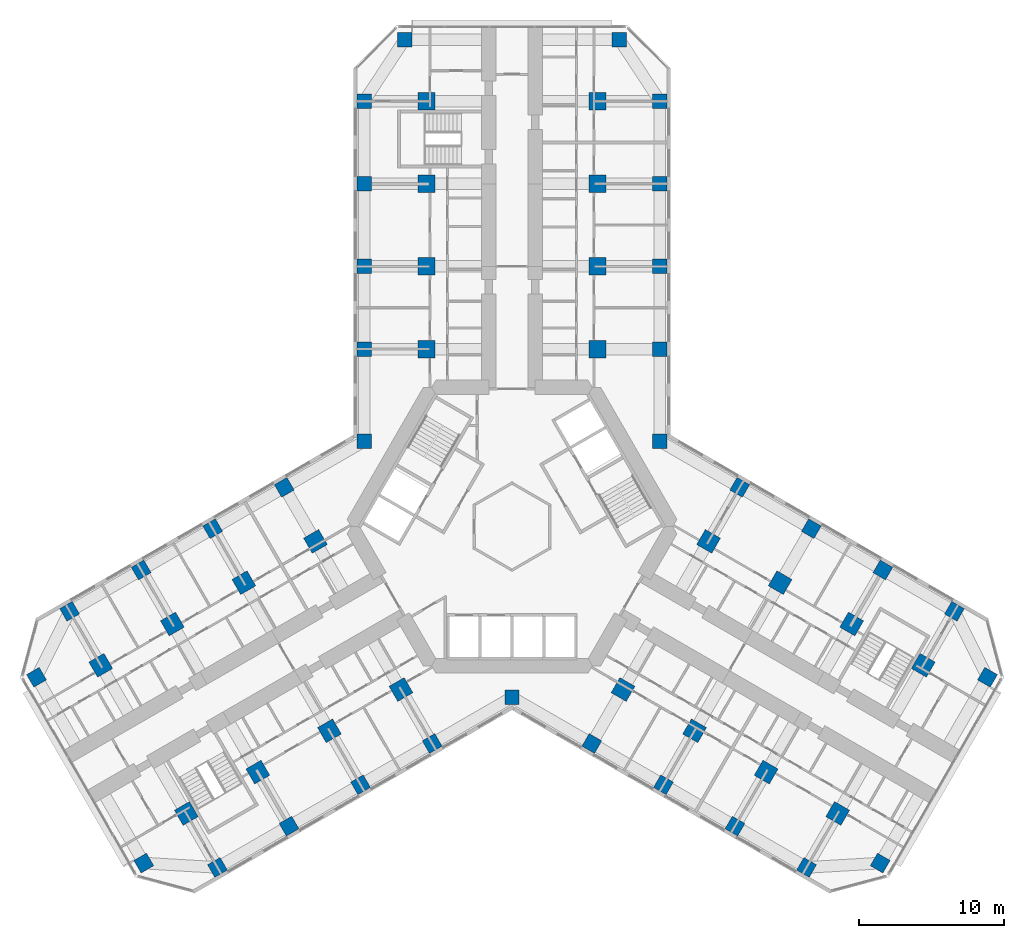
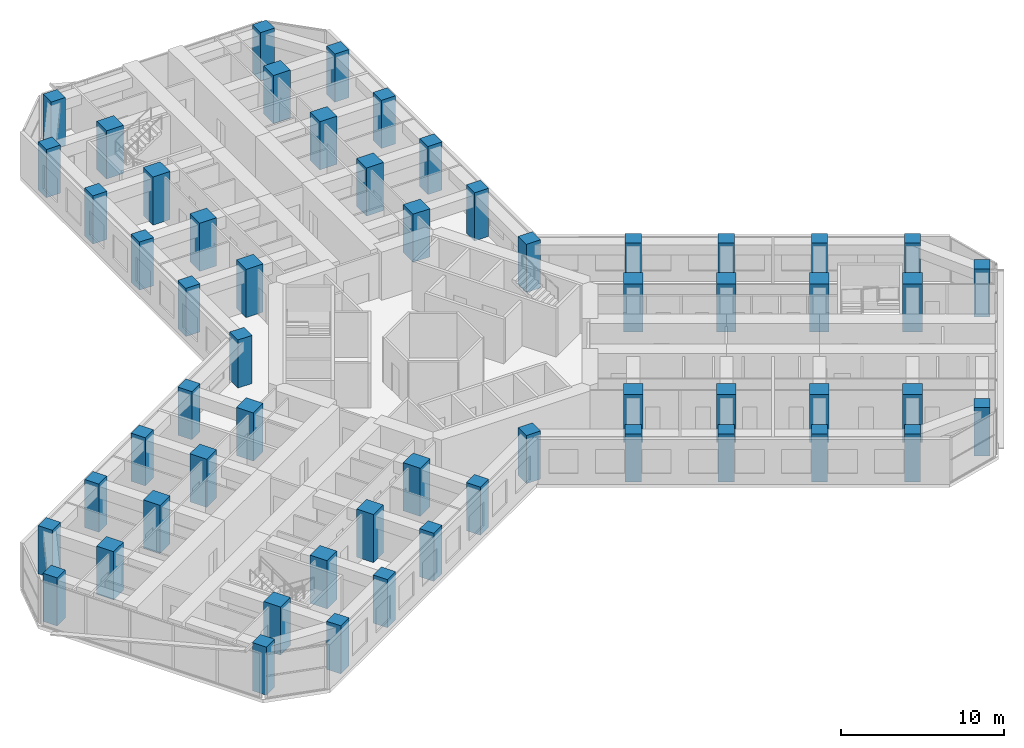
# One storey, part 1 of 21: 57 columns.
"""IFC4 building model written with IfcOpenShell, lengths in metres."""

import ifcopenshell
import ifcopenshell.guid

model = None  # the IFC model being written
_history = None  # IfcOwnerHistory: only IFC2X3 demands one
_inside = {}  # id of a spatial element -> (the spatial element, [elements in it])
_under = {}  # id of a project, library or spatial element -> (it, [spatial elements below it])
_declared = {}  # id of a project -> (the project, [libraries it declares])
_typed = {}  # id of a type object -> (the type object, [elements of that type])
_made_of = {}  # id of a material, layer set ... -> (it, [elements and type objects made of it])


def new_model(schema):
    """Start an empty IFC model of exactly this schema.

    Asked for "IFC4X3", IfcOpenShell would pick the latest addendum, in which some entities
    have other attributes; the version numbers below select the first issue.
    IFC2X3 requires an IfcOwnerHistory on every rooted entity: one is made here for all.
    """
    global model, _history
    if schema == "IFC4X3":
        model = ifcopenshell.file(schema_version=(4, 3, 0, 0))
    else:
        model = ifcopenshell.file(schema=schema)
    _inside.clear()
    _under.clear()
    _declared.clear()
    _typed.clear()
    _made_of.clear()
    _history = None
    if model.schema == "IFC2X3":
        org = make("IfcOrganization", Name="unknown")
        user = make(
            "IfcPersonAndOrganization",
            ThePerson=make("IfcPerson", FamilyName="unknown"),
            TheOrganization=org,
        )
        app = make(
            "IfcApplication",
            ApplicationDeveloper=org,
            Version="unknown",
            ApplicationFullName="unknown",
            ApplicationIdentifier="unknown",
        )
        _history = make(
            "IfcOwnerHistory",
            OwningUser=user,
            OwningApplication=app,
            ChangeAction="ADDED",
            CreationDate=0,
        )
    return model


def make(cls, **values):
    """One entity of the class cls with the attributes given. An attribute that is None is left unset."""
    return model.create_entity(
        cls, **{name: value for name, value in values.items() if value is not None}
    )


def rooted(cls, **values):
    """An entity with a GlobalId (a new one), such as an element, a storey or a relation."""
    return make(cls, GlobalId=ifcopenshell.guid.new(), OwnerHistory=_history, **values)


def si_unit(unit_type, name, prefix=None):
    """IfcSIUnit, for example si_unit("LENGTHUNIT", "METRE", prefix="MILLI")."""
    return make("IfcSIUnit", UnitType=unit_type, Prefix=prefix, Name=name)


def assignment(units):
    """IfcUnitAssignment: the units of a project."""
    return None if units is None else make("IfcUnitAssignment", Units=units)


def point(xyz):
    """IfcCartesianPoint."""
    return None if xyz is None else make("IfcCartesianPoint", Coordinates=xyz)


def direction(xyz):
    """IfcDirection."""
    return None if xyz is None else make("IfcDirection", DirectionRatios=xyz)


def frame(location, z_axis=None, x_axis=None):
    """IfcAxis2Placement3D, a coordinate frame: its origin and axes. An axis left out is left unset."""
    return make(
        "IfcAxis2Placement3D",
        Location=point(location),
        Axis=direction(z_axis),
        RefDirection=direction(x_axis),
    )


def frame_2d(location, x_axis=None):
    """IfcAxis2Placement2D, a coordinate frame in the plane: its origin and x axis."""
    return make(
        "IfcAxis2Placement2D", Location=point(location), RefDirection=direction(x_axis)
    )


def origin():
    """The frame at (0, 0, 0) with its axes left unset."""
    return frame((0.0, 0.0, 0.0))


def origin_2d():
    """The frame at (0, 0) in the plane with its x axis left unset."""
    return frame_2d((0.0, 0.0))


def place(relative_to, where):
    """IfcLocalPlacement: puts the frame where relative to a parent placement (None: the world)."""
    return make(
        "IfcLocalPlacement", PlacementRelTo=relative_to, RelativePlacement=where
    )


def context(
    kind, dimensions, precision=None, world=None, true_north=None, identifier=None
):
    """IfcGeometricRepresentationContext, for example the 3D "Model" context."""
    return make(
        "IfcGeometricRepresentationContext",
        ContextIdentifier=identifier,
        ContextType=kind,
        CoordinateSpaceDimension=dimensions,
        Precision=precision,
        WorldCoordinateSystem=world,
        TrueNorth=true_north,
    )


def subcontext(parent, identifier, kind, view, scale=None):
    """IfcGeometricRepresentationSubContext, for example "Body" below "Model"."""
    return make(
        "IfcGeometricRepresentationSubContext",
        ContextIdentifier=identifier,
        ContextType=kind,
        ParentContext=parent,
        TargetScale=scale,
        TargetView=view,
    )


def project(units=None, contexts=None):
    """IfcProject with its units and contexts."""
    return rooted(
        "IfcProject",
        Name="project",
        RepresentationContexts=contexts,
        UnitsInContext=assignment(units),
    )


def spatial(cls, under=None, at=None, **own):
    """A site, building, storey or space (cls), placed at a placement, below another one or the project."""
    s = rooted(cls, ObjectPlacement=at, **own)
    if under is not None:
        _under.setdefault(under.id(), (under, []))[1].append(s)
    return s


def profile(cls, at=None, kind="AREA", **sizes):
    """A parametric profile (cls). Its sizes go by their IFC names, for example OverallWidth=200.0."""
    return make(cls, ProfileType=kind, Position=at, **sizes)


def rectangle(**sizes):
    """IfcRectangleProfileDef."""
    return profile("IfcRectangleProfileDef", **sizes)


def extrude(swept, where, along, depth):
    """IfcExtrudedAreaSolid: the profile swept, set in the frame where, extruded along a direction by depth."""
    return make(
        "IfcExtrudedAreaSolid",
        SweptArea=swept,
        Position=where,
        ExtrudedDirection=direction(along),
        Depth=depth,
    )


def shape(context_of_items, identifier, shape_type, items):
    """IfcShapeRepresentation: the items that make up one representation, for example the "Body"."""
    return make(
        "IfcShapeRepresentation",
        ContextOfItems=context_of_items,
        RepresentationIdentifier=identifier,
        RepresentationType=shape_type,
        Items=items,
    )


def material(Name=None, Category=None):
    """IfcMaterial."""
    return make("IfcMaterial", Name=Name, Category=Category)


def material_profile(
    of_material, cross_section, Name=None, Category=None, Priority=None
):
    """IfcMaterialProfile: a cross section and its material."""
    return make(
        "IfcMaterialProfile",
        Name=Name,
        Material=of_material,
        Profile=cross_section,
        Priority=Priority,
        Category=Category,
    )


def profile_set(profiles, Name=None, composite=None):
    """IfcMaterialProfileSet."""
    return make(
        "IfcMaterialProfileSet",
        Name=Name,
        MaterialProfiles=profiles,
        CompositeProfile=composite,
    )


def made_of(thing, what):
    """Note that an element or type object is made of a material, layer set ...; save() writes the relation."""
    if what is not None:
        _made_of.setdefault(what.id(), (what, []))[1].append(thing)
    return thing


def type_object(cls, material=None, **own):
    """A type object (cls), such as IfcWallType, which elements share."""
    return made_of(rooted(cls, **own), material)


def element(
    cls,
    number,
    at=None,
    inside=None,
    cuts=None,
    type_object=None,
    material=None,
    context=None,
    identifier="Body",
    shape_type=None,
    held_by="IfcProductDefinitionShape",
    body=None,
    shapes=None,
    **own,
):
    """One element of the class cls, such as IfcWall. Its Tag is "e" and its number.

    at: its placement. inside: the storey or other place that contains it. cuts: it is an
    opening in that element (IfcRelVoidsElement). A single representation is given by context,
    identifier, shape_type and body (its items); several are given by shapes. held_by: the class
    of the entity that holds the representations. save() writes the other relations.
    """
    e = rooted(cls, Tag="e%d" % number, ObjectPlacement=at, **own)
    if body is not None:
        shapes = [shape(context, identifier, shape_type, body)]
    if shapes is not None:
        e.Representation = make(held_by, Representations=shapes)
    if inside is not None:
        _inside.setdefault(inside.id(), (inside, []))[1].append(e)
    if cuts is not None:
        rooted(
            "IfcRelVoidsElement", RelatingBuildingElement=cuts, RelatedOpeningElement=e
        )
    if type_object is not None:
        _typed.setdefault(type_object.id(), (type_object, []))[1].append(e)
    return made_of(e, material)


def aggregate(whole, parts):
    """IfcRelAggregates: a whole, such as a stair, and the parts it consists of."""
    return rooted("IfcRelAggregates", RelatingObject=whole, RelatedObjects=parts)


def save(model, path):
    """Write the relations noted so far, then the file.

    IfcRelAggregates (storeys below a building ...), IfcRelContainedInSpatialStructure (elements
    in a storey), IfcRelDefinesByType, IfcRelAssociatesMaterial and IfcRelDeclares: one each for
    every whole, place, type object, material and project.
    """
    for whole, parts in _under.values():
        aggregate(whole, parts)
    for where, things in _inside.values():
        rooted(
            "IfcRelContainedInSpatialStructure",
            RelatedElements=things,
            RelatingStructure=where,
        )
    for kind, things in _typed.values():
        rooted("IfcRelDefinesByType", RelatedObjects=things, RelatingType=kind)
    for what, things in _made_of.values():
        rooted("IfcRelAssociatesMaterial", RelatedObjects=things, RelatingMaterial=what)
    for by, libraries in _declared.values():
        rooted("IfcRelDeclares", RelatingContext=by, RelatedDefinitions=libraries)
    model.write(path)


model = new_model("IFC4")

# Units and contexts
model_context = context("Model", 3, precision=1e-05, world=origin(), true_north=direction((0.0, 1.0)))
body_context = subcontext(model_context, "Body", "Model", "MODEL_VIEW")
ifc_project = project(units=[si_unit("LENGTHUNIT", "METRE"), si_unit("AREAUNIT", "SQUARE_METRE"), si_unit("VOLUMEUNIT", "CUBIC_METRE"), si_unit("PLANEANGLEUNIT", "RADIAN"), si_unit("MASSUNIT", "GRAM", prefix="KILO")], contexts=[model_context])

# Site, building, storey
site_placement = place(None, origin())
site = spatial("IfcSite", under=ifc_project, at=site_placement, CompositionType="ELEMENT")
building_placement = place(site_placement, origin())
building = spatial("IfcBuilding", under=site, at=building_placement, Name="Kosmar Iwan School Tower", CompositionType="ELEMENT")
storey_placement = place(building_placement, frame((0.0, 0.0, 53.800048828125)))
storey = spatial("IfcBuildingStorey", under=building, at=storey_placement, Name="L12", CompositionType="ELEMENT", Elevation=53.800048828125)

# Columns
ifc_material_1 = material(Name="Concrete C50/60", Category="concrete")
ifc_material_profile_1 = material_profile(ifc_material_1, rectangle(XDim=1.0, YDim=1.0, at=origin_2d()), Name="RC 1000x1000 + HD 400x677")
ifc_profile_set_1 = profile_set([ifc_material_profile_1], Name="Concrete C50/60")
column_type_1 = type_object("IfcColumnType", Name="Composite column 1000x1000 HD 400x677", PredefinedType="COLUMN", material=ifc_profile_set_1)
for number, where, z_axis, x_axis, name in (
    (1, (-10.199951171875, 12.25, 0.0), (0.0, 0.0, 1.0), (0.0, 1.0, 0.0), "Column AL1 L12"),
    (2, (-10.199951171875, 17.949951171875, 0.0), (0.0, 0.0, 1.0), (0.0, 1.0, 0.0), "Column AL2 L12"),
    (3, (-10.199951171875, 23.64990234375, 0.0), (0.0, 0.0, 1.0), (0.0, 1.0, 0.0), "Column AL3 L12"),
    (4, (-10.199951171875, 29.35009765625, 0.0), (0.0, 0.0, 1.0), (0.0, 1.0, 0.0), "Column AL4 L12"),
    (5, (-7.39990234375, 33.60009765625, 0.0), (0.0, 0.0, 1.0), (0.0, 1.0, 0.0), "Column ALTIP L12"),
    (6, (10.199951171875, 12.25, 0.0), (0.0, 0.0, 1.0), (0.0, 1.0, 0.0), "Column AR1 L12"),
    (7, (10.199951171875, 17.949951171875, 0.0), (0.0, 0.0, 1.0), (0.0, 1.0, 0.0), "Column AR2 L12"),
    (8, (10.199951171875, 23.64990234375, 0.0), (0.0, 0.0, 1.0), (0.0, 1.0, 0.0), "Column AR3 L12"),
    (9, (10.199951171875, 29.35009765625, 0.0), (0.0, 0.0, 1.0), (0.0, 1.0, 0.0), "Column AR4 L12"),
    (10, (7.39990234375, 33.60009765625, 0.0), (0.0, 0.0, 1.0), (0.0, 1.0, 0.0), "Column ARTIP L12"),
    (11, (-5.5087890625, -14.95849609375, 0.0), (0.0, 0.0, 1.0), (-0.866025403784, -0.5, 0.0), "Column BL1 L12"),
    (12, (-10.445068359375, -17.808349609375, 0.0), (0.0, 0.0, 1.0), (-0.866025403784, -0.5, 0.0), "Column BL2 L12"),
    (13, (-15.381591796875, -20.658447265625, 0.0), (0.0, 0.0, 1.0), (-0.866025403784, -0.5, 0.0), "Column BL3 L12"),
    (14, (-20.31787109375, -23.508544921875, 0.0), (0.0, 0.0, 1.0), (-0.866025403784, -0.5, 0.0), "Column BL4 L12"),
    (15, (-25.3984375, -23.20849609375, 0.0), (0.0, 0.0, 1.0), (-0.866025403784, -0.5, 0.0), "Column BLTIP L12"),
    (16, (-15.708740234375, 2.70849609375, 0.0), (0.0, 0.0, 1.0), (-0.866025403784, -0.5, 0.0), "Column BR1 L12"),
    (17, (-20.645263671875, -0.1416015625, 0.0), (0.0, 0.0, 1.0), (-0.866025403784, -0.5, 0.0), "Column BR2 L12"),
    (18, (-25.58154296875, -2.991455078125, 0.0), (0.0, 0.0, 1.0), (-0.866025403784, -0.5, 0.0), "Column BR3 L12"),
    (19, (-30.517822265625, -5.841552734375, 0.0), (0.0, 0.0, 1.0), (-0.866025403784, -0.5, 0.0), "Column BR4 L12"),
    (20, (-32.79833984375, -10.391357421875, 0.0), (0.0, 0.0, 1.0), (-0.866025403784, -0.5, 0.0), "Column BRTIP L12"),
    (21, (15.708740234375, 2.70849609375, 0.0), (0.0, 0.0, 1.0), (0.866025403784, -0.5, 0.0), "Column CL1 L12"),
    (22, (20.645263671875, -0.1416015625, 0.0), (0.0, 0.0, 1.0), (0.866025403784, -0.5, 0.0), "Column CL2 L12"),
    (23, (25.58154296875, -2.991455078125, 0.0), (0.0, 0.0, 1.0), (0.866025403784, -0.5, 0.0), "Column CL3 L12"),
    (24, (30.517822265625, -5.841552734375, 0.0), (0.0, 0.0, 1.0), (0.866025403784, -0.5, 0.0), "Column CL4 L12"),
    (25, (32.79833984375, -10.391357421875, 0.0), (0.0, 0.0, 1.0), (0.866025403784, -0.5, 0.0), "Column CLTIP L12"),
    (26, (5.5087890625, -14.95849609375, 0.0), (0.0, 0.0, 1.0), (0.866025403784, -0.5, 0.0), "Column CR1 L12"),
    (27, (10.445068359375, -17.808349609375, 0.0), (0.0, 0.0, 1.0), (0.866025403784, -0.5, 0.0), "Column CR2 L12"),
    (28, (15.381591796875, -20.658447265625, 0.0), (0.0, 0.0, 1.0), (0.866025403784, -0.5, 0.0), "Column CR3 L12"),
    (29, (20.31787109375, -23.508544921875, 0.0), (0.0, 0.0, 1.0), (0.866025403784, -0.5, 0.0), "Column CR4 L12"),
    (30, (25.3984375, -23.20849609375, 0.0), (0.0, 0.0, 1.0), (0.866025403784, -0.5, 0.0), "Column CRTIP L12"),
    (31, (-10.199951171875, 5.888916015625, 0.0), (0.0, 0.0, 1.0), (1.0, 0.0, 0.0), "Column RAB L12"),
    (32, (10.199951171875, 5.888916015625, 0.0), (0.0, 0.0, 1.0), (1.0, 0.0, 0.0), "Column RAC L12"),
    (33, (0.0, -11.77783203125, 0.0), (0.0, 0.0, 1.0), (1.0, 0.0, 0.0), "Column RBC L12"),
):
    element("IfcColumn", number, at=place(storey_placement, frame(where, z_axis=z_axis, x_axis=x_axis)), inside=storey, type_object=column_type_1, Name=name, PredefinedType="COLUMN", context=body_context, shape_type="SweptSolid", body=[
        extrude(rectangle(XDim=1.0, YDim=1.0, at=origin_2d()), origin(), (0.0, 0.0, 1.0), 3.599853515625),
    ])
ifc_material_2 = material(Name="Concrete C50/60", Category="concrete")
ifc_material_profile_2 = material_profile(ifc_material_2, rectangle(XDim=1.199951171875, YDim=1.199951171875, at=origin_2d()), Name="RC 1200x1200")
ifc_profile_set_2 = profile_set([ifc_material_profile_2], Name="Concrete C50/60")
column_type_2 = type_object("IfcColumnType", Name="RC interior column 1200x1200", PredefinedType="COLUMN", material=ifc_profile_set_2)
for number, where, z_axis, x_axis, name in (
    (34, (-5.89990234375, 12.25, 0.0), (0.0, 0.0, 1.0), (0.0, 1.0, 0.0), "Interior column ALI1 L12"),
    (35, (-5.89990234375, 17.949951171875, 0.0), (0.0, 0.0, 1.0), (0.0, 1.0, 0.0), "Interior column ALI2 L12"),
    (36, (-5.89990234375, 23.64990234375, 0.0), (0.0, 0.0, 1.0), (0.0, 1.0, 0.0), "Interior column ALI3 L12"),
    (37, (-5.89990234375, 29.35009765625, 0.0), (0.0, 0.0, 1.0), (0.0, 1.0, 0.0), "Interior column ALI4 L12"),
    (38, (5.89990234375, 12.25, 0.0), (0.0, 0.0, 1.0), (0.0, 1.0, 0.0), "Interior column ARI1 L12"),
    (39, (5.89990234375, 17.949951171875, 0.0), (0.0, 0.0, 1.0), (0.0, 1.0, 0.0), "Interior column ARI2 L12"),
    (40, (5.89990234375, 23.64990234375, 0.0), (0.0, 0.0, 1.0), (0.0, 1.0, 0.0), "Interior column ARI3 L12"),
    (41, (5.89990234375, 29.35009765625, 0.0), (0.0, 0.0, 1.0), (0.0, 1.0, 0.0), "Interior column ARI4 L12"),
    (42, (-7.65869140625, -11.234619140625, 0.0), (0.0, 0.0, 1.0), (-0.866025403784, -0.5, 0.0), "Interior column BLI1 L12"),
    (43, (-12.59521484375, -14.08447265625, 0.0), (0.0, 0.0, 1.0), (-0.866025403784, -0.5, 0.0), "Interior column BLI2 L12"),
    (44, (-17.531494140625, -16.9345703125, 0.0), (0.0, 0.0, 1.0), (-0.866025403784, -0.5, 0.0), "Interior column BLI3 L12"),
    (45, (-22.4677734375, -19.78466796875, 0.0), (0.0, 0.0, 1.0), (-0.866025403784, -0.5, 0.0), "Interior column BLI4 L12"),
    (46, (-13.558837890625, -1.015380859375, 0.0), (0.0, 0.0, 1.0), (-0.866025403784, -0.5, 0.0), "Interior column BRI1 L12"),
    (47, (-18.4951171875, -3.865478515625, 0.0), (0.0, 0.0, 1.0), (-0.866025403784, -0.5, 0.0), "Interior column BRI2 L12"),
    (48, (-23.431396484375, -6.71533203125, 0.0), (0.0, 0.0, 1.0), (-0.866025403784, -0.5, 0.0), "Interior column BRI3 L12"),
    (49, (-28.367919921875, -9.5654296875, 0.0), (0.0, 0.0, 1.0), (-0.866025403784, -0.5, 0.0), "Interior column BRI4 L12"),
    (50, (13.558837890625, -1.015380859375, 0.0), (0.0, 0.0, 1.0), (0.866025403784, -0.5, 0.0), "Interior column CLI1 L12"),
    (51, (18.4951171875, -3.865478515625, 0.0), (0.0, 0.0, 1.0), (0.866025403784, -0.5, 0.0), "Interior column CLI2 L12"),
    (52, (23.431396484375, -6.71533203125, 0.0), (0.0, 0.0, 1.0), (0.866025403784, -0.5, 0.0), "Interior column CLI3 L12"),
    (53, (28.367919921875, -9.5654296875, 0.0), (0.0, 0.0, 1.0), (0.866025403784, -0.5, 0.0), "Interior column CLI4 L12"),
    (54, (7.65869140625, -11.234619140625, 0.0), (0.0, 0.0, 1.0), (0.866025403784, -0.5, 0.0), "Interior column CRI1 L12"),
    (55, (12.59521484375, -14.08447265625, 0.0), (0.0, 0.0, 1.0), (0.866025403784, -0.5, 0.0), "Interior column CRI2 L12"),
    (56, (17.531494140625, -16.9345703125, 0.0), (0.0, 0.0, 1.0), (0.866025403784, -0.5, 0.0), "Interior column CRI3 L12"),
    (57, (22.4677734375, -19.78466796875, 0.0), (0.0, 0.0, 1.0), (0.866025403784, -0.5, 0.0), "Interior column CRI4 L12"),
):
    element("IfcColumn", number, at=place(storey_placement, frame(where, z_axis=z_axis, x_axis=x_axis)), inside=storey, type_object=column_type_2, Name=name, PredefinedType="COLUMN", context=body_context, shape_type="SweptSolid", body=[
        extrude(rectangle(XDim=1.199951171875, YDim=1.199951171875, at=origin_2d()), origin(), (0.0, 0.0, 1.0), 3.599853515625),
    ])

save(model, "model.ifc")
